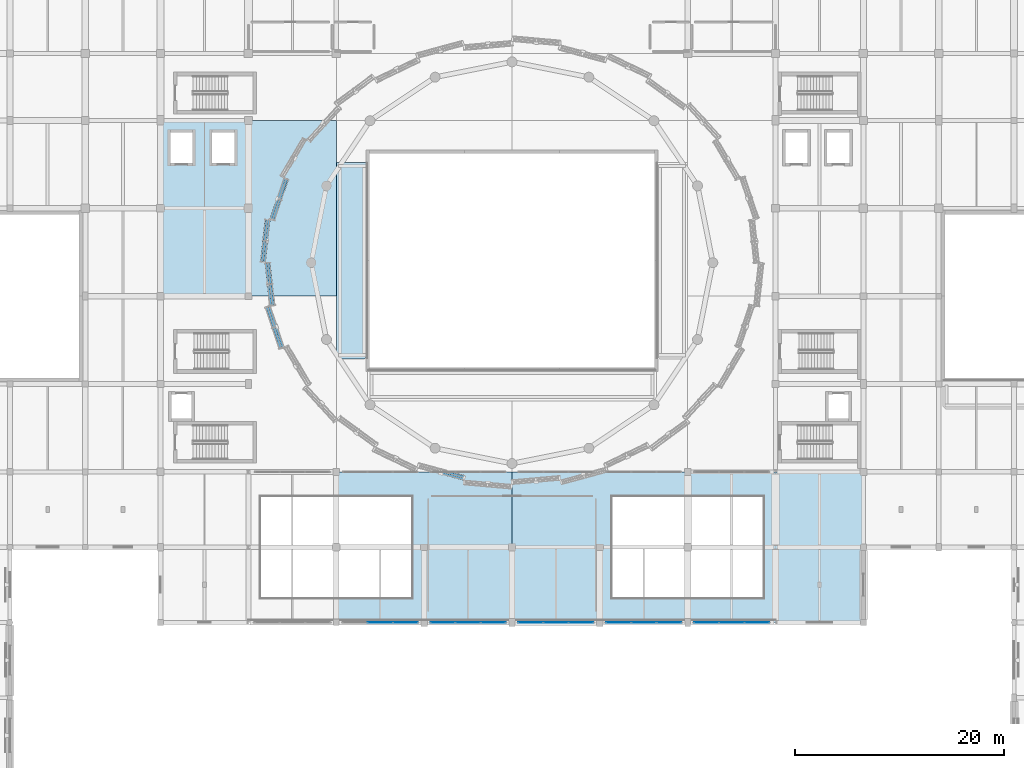
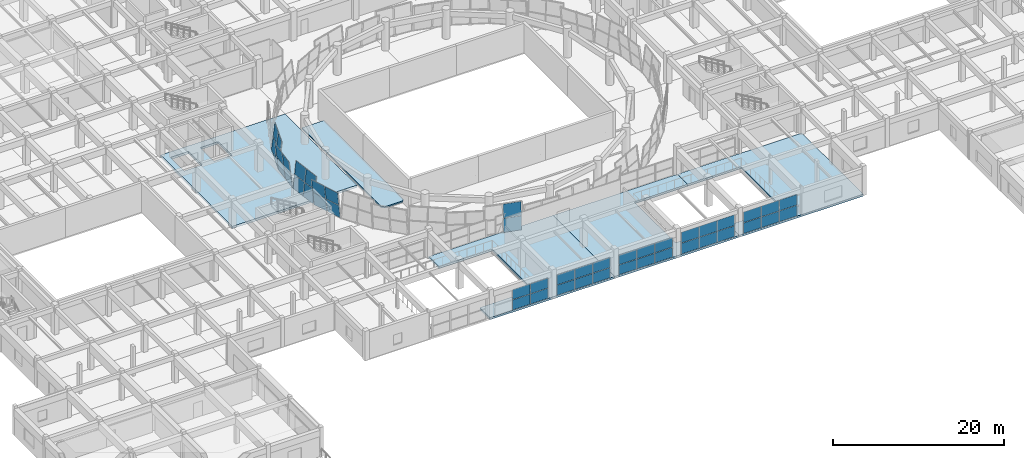
# One storey, part 41 of 71: 46 plates, 5 slabs, 10 elements without a shape of their own.
"""IFC4 building model written with IfcOpenShell, lengths in metres."""

from ifc_helpers import new_model, si_unit, direction, frame, origin, origin_2d, place, context, subcontext, project, spatial, polyline, rectangle, outline, extrude, material, layer, layer_set, type_object, element, aggregate, save


model = new_model("IFC4")

# Units and contexts
model_context = context("Model", 3, precision=1e-05, world=origin(), true_north=direction((0.0, 1.0)))
body_context = subcontext(model_context, "Body", "Model", "MODEL_VIEW")
ifc_project = project(units=[si_unit("LENGTHUNIT", "METRE"), si_unit("AREAUNIT", "SQUARE_METRE"), si_unit("VOLUMEUNIT", "CUBIC_METRE"), si_unit("PLANEANGLEUNIT", "RADIAN"), si_unit("MASSUNIT", "GRAM", prefix="KILO")], contexts=[model_context])

# Site, building, storey
site_placement = place(None, origin())
site = spatial("IfcSite", under=ifc_project, at=site_placement, CompositionType="ELEMENT")
building_placement = place(site_placement, origin())
building = spatial("IfcBuilding", under=site, at=building_placement, Name="Korsvaeld Concert Hall", CompositionType="ELEMENT")
storey_placement = place(building_placement, frame((0.0, 0.0, 4.800048828125)))
storey = spatial("IfcBuildingStorey", under=building, at=storey_placement, Name="L01", CompositionType="ELEMENT", Elevation=4.800048828125)

# Curtain wall, plates
ifc_material_1 = material(Name="Anodised bronze and ceramic-fritted safety glass", Category="glass")
curtain_wall_type_1 = type_object("IfcCurtainWallType", Name="CW-TYPE-15", PredefinedType="USERDEFINED", material=ifc_material_1)
curtain_wall_1_placement = place(storey_placement, origin())
curtain_wall_1 = element("IfcCurtainWall", 1, at=curtain_wall_1_placement, inside=storey, type_object=curtain_wall_type_1, Name="Wintergarden foyer curtain wall L01-07", ObjectType="CURTAIN WALL", PredefinedType="USERDEFINED")
ifc_material_2 = material(Name="Clear acoustic triple safety glazing", Category="glass")
ifc_layer_1 = layer(ifc_material_2, 0.0439453125)
ifc_layer_set_1 = layer_set([ifc_layer_1], Name="Clear acoustic triple safety glazing")
plate_type_1 = type_object("IfcPlateType", Name="CWP-CLEAR-44", PredefinedType="CURTAIN_PANEL", material=ifc_layer_set_1)
plate_1_placement = place(storey_placement, frame((107.418212890625, 28.800048828125, 0.06005859375), z_axis=(0.0, 0.0, 1.0), x_axis=(-1.0, 0.0, 0.0)))
plate_1 = element("IfcPlate", 2, at=plate_1_placement, type_object=plate_type_1, Name="CW-15 panel 1.1", PredefinedType="CURTAIN_PANEL", context=body_context, shape_type="SweptSolid", body=[
    extrude(rectangle(XDim=2.34326171875, YDim=0.0439453125, at=origin_2d()), origin(), (0.0, 0.0, 1.0), 1.5048828125),
])
plate_2_placement = place(storey_placement, frame((107.418212890625, 28.800048828125, 1.625), z_axis=(0.0, 0.0, 1.0), x_axis=(-1.0, 0.0, 0.0)))
plate_2 = element("IfcPlate", 3, at=plate_2_placement, type_object=plate_type_1, Name="CW-15 panel 1.2", PredefinedType="CURTAIN_PANEL", context=body_context, shape_type="SweptSolid", body=[
    extrude(rectangle(XDim=2.34326171875, YDim=0.0439453125, at=origin_2d()), origin(), (0.0, 0.0, 1.0), 1.5048828125),
])
plate_3_placement = place(storey_placement, frame((105.0, 28.800048828125, 0.06005859375), z_axis=(0.0, 0.0, 1.0), x_axis=(-1.0, 0.0, 0.0)))
plate_3 = element("IfcPlate", 4, at=plate_3_placement, type_object=plate_type_1, Name="CW-15 panel 2.1", PredefinedType="CURTAIN_PANEL", context=body_context, shape_type="SweptSolid", body=[
    extrude(rectangle(XDim=2.373291015625, YDim=0.0439453125, at=origin_2d()), origin(), (0.0, 0.0, 1.0), 1.5048828125),
])
plate_4_placement = place(storey_placement, frame((105.0, 28.800048828125, 1.625), z_axis=(0.0, 0.0, 1.0), x_axis=(-1.0, 0.0, 0.0)))
plate_4 = element("IfcPlate", 5, at=plate_4_placement, type_object=plate_type_1, Name="CW-15 panel 2.2", PredefinedType="CURTAIN_PANEL", context=body_context, shape_type="SweptSolid", body=[
    extrude(rectangle(XDim=2.373291015625, YDim=0.0439453125, at=origin_2d()), origin(), (0.0, 0.0, 1.0), 1.5048828125),
])
plate_5_placement = place(storey_placement, frame((102.581787109375, 28.800048828125, 0.06005859375), z_axis=(0.0, 0.0, 1.0), x_axis=(-1.0, 0.0, 0.0)))
plate_5 = element("IfcPlate", 6, at=plate_5_placement, type_object=plate_type_1, Name="CW-15 panel 3.1", PredefinedType="CURTAIN_PANEL", context=body_context, shape_type="SweptSolid", body=[
    extrude(rectangle(XDim=2.34326171875, YDim=0.0439453125, at=origin_2d()), origin(), (0.0, 0.0, 1.0), 1.5048828125),
])
plate_6_placement = place(storey_placement, frame((102.581787109375, 28.800048828125, 1.625), z_axis=(0.0, 0.0, 1.0), x_axis=(-1.0, 0.0, 0.0)))
plate_6 = element("IfcPlate", 7, at=plate_6_placement, type_object=plate_type_1, Name="CW-15 panel 3.2", PredefinedType="CURTAIN_PANEL", context=body_context, shape_type="SweptSolid", body=[
    extrude(rectangle(XDim=2.34326171875, YDim=0.0439453125, at=origin_2d()), origin(), (0.0, 0.0, 1.0), 1.5048828125),
])
aggregate(curtain_wall_1, [plate_1, plate_2, plate_3, plate_4, plate_5, plate_6])

curtain_wall_type_2 = type_object("IfcCurtainWallType", Name="CW-TYPE-08", PredefinedType="USERDEFINED", material=ifc_material_1)
curtain_wall_2_placement = place(storey_placement, origin())
curtain_wall_2 = element("IfcCurtainWall", 8, at=curtain_wall_2_placement, inside=storey, type_object=curtain_wall_type_2, Name="Wintergarden foyer curtain wall L01-08", ObjectType="CURTAIN WALL", PredefinedType="USERDEFINED")
plate_7_placement = place(storey_placement, frame((99.018310546875, 28.800048828125, 0.06005859375), z_axis=(0.0, 0.0, 1.0), x_axis=(-1.0, 0.0, 0.0)))
plate_7 = element("IfcPlate", 9, at=plate_7_placement, type_object=plate_type_1, Name="CW-08 panel 1.1", PredefinedType="CURTAIN_PANEL", context=body_context, shape_type="SweptSolid", body=[
    extrude(rectangle(XDim=2.34326171875, YDim=0.0439453125, at=origin_2d()), origin(), (0.0, 0.0, 1.0), 1.530029296875),
])
plate_8_placement = place(storey_placement, frame((99.018310546875, 28.800048828125, 1.64990234375), z_axis=(0.0, 0.0, 1.0), x_axis=(-1.0, 0.0, 0.0)))
plate_8 = element("IfcPlate", 10, at=plate_8_placement, type_object=plate_type_1, Name="CW-08 panel 1.2", PredefinedType="CURTAIN_PANEL", context=body_context, shape_type="SweptSolid", body=[
    extrude(rectangle(XDim=2.34326171875, YDim=0.0439453125, at=origin_2d()), origin(), (0.0, 0.0, 1.0), 1.530029296875),
])
plate_9_placement = place(storey_placement, frame((96.60009765625, 28.800048828125, 0.06005859375), z_axis=(0.0, 0.0, 1.0), x_axis=(-1.0, 0.0, 0.0)))
plate_9 = element("IfcPlate", 11, at=plate_9_placement, type_object=plate_type_1, Name="CW-08 panel 2.1", PredefinedType="CURTAIN_PANEL", context=body_context, shape_type="SweptSolid", body=[
    extrude(rectangle(XDim=2.373291015625, YDim=0.0439453125, at=origin_2d()), origin(), (0.0, 0.0, 1.0), 1.530029296875),
])
plate_10_placement = place(storey_placement, frame((96.60009765625, 28.800048828125, 1.64990234375), z_axis=(0.0, 0.0, 1.0), x_axis=(-1.0, 0.0, 0.0)))
plate_10 = element("IfcPlate", 12, at=plate_10_placement, type_object=plate_type_1, Name="CW-08 panel 2.2", PredefinedType="CURTAIN_PANEL", context=body_context, shape_type="SweptSolid", body=[
    extrude(rectangle(XDim=2.373291015625, YDim=0.0439453125, at=origin_2d()), origin(), (0.0, 0.0, 1.0), 1.530029296875),
])
plate_11_placement = place(storey_placement, frame((94.181640625, 28.800048828125, 0.06005859375), z_axis=(0.0, 0.0, 1.0), x_axis=(-1.0, 0.0, 0.0)))
plate_11 = element("IfcPlate", 13, at=plate_11_placement, type_object=plate_type_1, Name="CW-08 panel 3.1", PredefinedType="CURTAIN_PANEL", context=body_context, shape_type="SweptSolid", body=[
    extrude(rectangle(XDim=2.34326171875, YDim=0.0439453125, at=origin_2d()), origin(), (0.0, 0.0, 1.0), 1.530029296875),
])
plate_12_placement = place(storey_placement, frame((94.181640625, 28.800048828125, 1.64990234375), z_axis=(0.0, 0.0, 1.0), x_axis=(-1.0, 0.0, 0.0)))
plate_12 = element("IfcPlate", 14, at=plate_12_placement, type_object=plate_type_1, Name="CW-08 panel 3.2", PredefinedType="CURTAIN_PANEL", context=body_context, shape_type="SweptSolid", body=[
    extrude(rectangle(XDim=2.34326171875, YDim=0.0439453125, at=origin_2d()), origin(), (0.0, 0.0, 1.0), 1.530029296875),
])
aggregate(curtain_wall_2, [plate_7, plate_8, plate_9, plate_10, plate_11, plate_12])

curtain_wall_type_3 = type_object("IfcCurtainWallType", Name="CW-TYPE-09", PredefinedType="USERDEFINED", material=ifc_material_1)
curtain_wall_3_placement = place(storey_placement, origin())
curtain_wall_3 = element("IfcCurtainWall", 15, at=curtain_wall_3_placement, inside=storey, type_object=curtain_wall_type_3, Name="Wintergarden foyer curtain wall L01-09", ObjectType="CURTAIN WALL", PredefinedType="USERDEFINED")
plate_13_placement = place(storey_placement, frame((90.618408203125, 28.800048828125, 0.06005859375), z_axis=(0.0, 0.0, 1.0), x_axis=(-1.0, 0.0, 0.0)))
plate_13 = element("IfcPlate", 16, at=plate_13_placement, type_object=plate_type_1, Name="CW-09 panel 1.1", PredefinedType="CURTAIN_PANEL", context=body_context, shape_type="SweptSolid", body=[
    extrude(rectangle(XDim=2.34326171875, YDim=0.0439453125, at=origin_2d()), origin(), (0.0, 0.0, 1.0), 1.3798828125),
])
plate_14_placement = place(storey_placement, frame((90.618408203125, 28.800048828125, 1.5), z_axis=(0.0, 0.0, 1.0), x_axis=(-1.0, 0.0, 0.0)))
plate_14 = element("IfcPlate", 17, at=plate_14_placement, type_object=plate_type_1, Name="CW-09 panel 1.2", PredefinedType="CURTAIN_PANEL", context=body_context, shape_type="SweptSolid", body=[
    extrude(rectangle(XDim=2.34326171875, YDim=0.0439453125, at=origin_2d()), origin(), (0.0, 0.0, 1.0), 1.3798828125),
])
plate_15_placement = place(storey_placement, frame((88.199951171875, 28.800048828125, 0.06005859375), z_axis=(0.0, 0.0, 1.0), x_axis=(-1.0, 0.0, 0.0)))
plate_15 = element("IfcPlate", 18, at=plate_15_placement, type_object=plate_type_1, Name="CW-09 panel 2.1", PredefinedType="CURTAIN_PANEL", context=body_context, shape_type="SweptSolid", body=[
    extrude(rectangle(XDim=2.373291015625, YDim=0.0439453125, at=origin_2d()), origin(), (0.0, 0.0, 1.0), 1.3798828125),
])
plate_16_placement = place(storey_placement, frame((88.199951171875, 28.800048828125, 1.5), z_axis=(0.0, 0.0, 1.0), x_axis=(-1.0, 0.0, 0.0)))
plate_16 = element("IfcPlate", 19, at=plate_16_placement, type_object=plate_type_1, Name="CW-09 panel 2.2", PredefinedType="CURTAIN_PANEL", context=body_context, shape_type="SweptSolid", body=[
    extrude(rectangle(XDim=2.373291015625, YDim=0.0439453125, at=origin_2d()), origin(), (0.0, 0.0, 1.0), 1.3798828125),
])
plate_17_placement = place(storey_placement, frame((85.78173828125, 28.800048828125, 0.06005859375), z_axis=(0.0, 0.0, 1.0), x_axis=(-1.0, 0.0, 0.0)))
plate_17 = element("IfcPlate", 20, at=plate_17_placement, type_object=plate_type_1, Name="CW-09 panel 3.1", PredefinedType="CURTAIN_PANEL", context=body_context, shape_type="SweptSolid", body=[
    extrude(rectangle(XDim=2.34326171875, YDim=0.0439453125, at=origin_2d()), origin(), (0.0, 0.0, 1.0), 1.3798828125),
])
plate_18_placement = place(storey_placement, frame((85.78173828125, 28.800048828125, 1.5), z_axis=(0.0, 0.0, 1.0), x_axis=(-1.0, 0.0, 0.0)))
plate_18 = element("IfcPlate", 21, at=plate_18_placement, type_object=plate_type_1, Name="CW-09 panel 3.2", PredefinedType="CURTAIN_PANEL", context=body_context, shape_type="SweptSolid", body=[
    extrude(rectangle(XDim=2.34326171875, YDim=0.0439453125, at=origin_2d()), origin(), (0.0, 0.0, 1.0), 1.3798828125),
])
aggregate(curtain_wall_3, [plate_13, plate_14, plate_15, plate_16, plate_17, plate_18])

curtain_wall_type_4 = type_object("IfcCurtainWallType", Name="CW-TYPE-10", PredefinedType="USERDEFINED", material=ifc_material_1)
curtain_wall_4_placement = place(storey_placement, origin())
curtain_wall_4 = element("IfcCurtainWall", 22, at=curtain_wall_4_placement, inside=storey, type_object=curtain_wall_type_4, Name="Wintergarden foyer curtain wall L01-10", ObjectType="CURTAIN WALL", PredefinedType="USERDEFINED")
plate_19_placement = place(storey_placement, frame((82.21826171875, 28.800048828125, 0.06005859375), z_axis=(0.0, 0.0, 1.0), x_axis=(-1.0, 0.0, 0.0)))
plate_19 = element("IfcPlate", 23, at=plate_19_placement, type_object=plate_type_1, Name="CW-10 panel 1.1", PredefinedType="CURTAIN_PANEL", context=body_context, shape_type="SweptSolid", body=[
    extrude(rectangle(XDim=2.34326171875, YDim=0.0439453125, at=origin_2d()), origin(), (0.0, 0.0, 1.0), 1.429931640625),
])
plate_20_placement = place(storey_placement, frame((82.21826171875, 28.800048828125, 1.5498046875), z_axis=(0.0, 0.0, 1.0), x_axis=(-1.0, 0.0, 0.0)))
plate_20 = element("IfcPlate", 24, at=plate_20_placement, type_object=plate_type_1, Name="CW-10 panel 1.2", PredefinedType="CURTAIN_PANEL", context=body_context, shape_type="SweptSolid", body=[
    extrude(rectangle(XDim=2.34326171875, YDim=0.0439453125, at=origin_2d()), origin(), (0.0, 0.0, 1.0), 1.429931640625),
])
plate_21_placement = place(storey_placement, frame((79.800048828125, 28.800048828125, 0.06005859375), z_axis=(0.0, 0.0, 1.0), x_axis=(-1.0, 0.0, 0.0)))
plate_21 = element("IfcPlate", 25, at=plate_21_placement, type_object=plate_type_1, Name="CW-10 panel 2.1", PredefinedType="CURTAIN_PANEL", context=body_context, shape_type="SweptSolid", body=[
    extrude(rectangle(XDim=2.373291015625, YDim=0.0439453125, at=origin_2d()), origin(), (0.0, 0.0, 1.0), 1.429931640625),
])
plate_22_placement = place(storey_placement, frame((79.800048828125, 28.800048828125, 1.5498046875), z_axis=(0.0, 0.0, 1.0), x_axis=(-1.0, 0.0, 0.0)))
plate_22 = element("IfcPlate", 26, at=plate_22_placement, type_object=plate_type_1, Name="CW-10 panel 2.2", PredefinedType="CURTAIN_PANEL", context=body_context, shape_type="SweptSolid", body=[
    extrude(rectangle(XDim=2.373291015625, YDim=0.0439453125, at=origin_2d()), origin(), (0.0, 0.0, 1.0), 1.429931640625),
])
plate_23_placement = place(storey_placement, frame((77.381591796875, 28.800048828125, 0.06005859375), z_axis=(0.0, 0.0, 1.0), x_axis=(-1.0, 0.0, 0.0)))
plate_23 = element("IfcPlate", 27, at=plate_23_placement, type_object=plate_type_1, Name="CW-10 panel 3.1", PredefinedType="CURTAIN_PANEL", context=body_context, shape_type="SweptSolid", body=[
    extrude(rectangle(XDim=2.34326171875, YDim=0.0439453125, at=origin_2d()), origin(), (0.0, 0.0, 1.0), 1.429931640625),
])
plate_24_placement = place(storey_placement, frame((77.381591796875, 28.800048828125, 1.5498046875), z_axis=(0.0, 0.0, 1.0), x_axis=(-1.0, 0.0, 0.0)))
plate_24 = element("IfcPlate", 28, at=plate_24_placement, type_object=plate_type_1, Name="CW-10 panel 3.2", PredefinedType="CURTAIN_PANEL", context=body_context, shape_type="SweptSolid", body=[
    extrude(rectangle(XDim=2.34326171875, YDim=0.0439453125, at=origin_2d()), origin(), (0.0, 0.0, 1.0), 1.429931640625),
])
aggregate(curtain_wall_4, [plate_19, plate_20, plate_21, plate_22, plate_23, plate_24])

curtain_wall_type_5 = type_object("IfcCurtainWallType", Name="CW-TYPE-11", PredefinedType="USERDEFINED", material=ifc_material_1)
curtain_wall_5_placement = place(storey_placement, origin())
curtain_wall_5 = element("IfcCurtainWall", 29, at=curtain_wall_5_placement, inside=storey, type_object=curtain_wall_type_5, Name="Wintergarden foyer curtain wall L01-11", ObjectType="CURTAIN WALL", PredefinedType="USERDEFINED")
plate_25_placement = place(storey_placement, frame((73.818359375, 28.800048828125, 0.06005859375), z_axis=(0.0, 0.0, 1.0), x_axis=(-1.0, 0.0, 0.0)))
plate_25 = element("IfcPlate", 30, at=plate_25_placement, type_object=plate_type_1, Name="CW-11 panel 1.1", PredefinedType="CURTAIN_PANEL", context=body_context, shape_type="SweptSolid", body=[
    extrude(rectangle(XDim=2.34326171875, YDim=0.0439453125, at=origin_2d()), origin(), (0.0, 0.0, 1.0), 1.429931640625),
])
plate_26_placement = place(storey_placement, frame((73.818359375, 28.800048828125, 1.5498046875), z_axis=(0.0, 0.0, 1.0), x_axis=(-1.0, 0.0, 0.0)))
plate_26 = element("IfcPlate", 31, at=plate_26_placement, type_object=plate_type_1, Name="CW-11 panel 1.2", PredefinedType="CURTAIN_PANEL", context=body_context, shape_type="SweptSolid", body=[
    extrude(rectangle(XDim=2.34326171875, YDim=0.0439453125, at=origin_2d()), origin(), (0.0, 0.0, 1.0), 1.429931640625),
])
plate_27_placement = place(storey_placement, frame((71.39990234375, 28.800048828125, 0.06005859375), z_axis=(0.0, 0.0, 1.0), x_axis=(-1.0, 0.0, 0.0)))
plate_27 = element("IfcPlate", 32, at=plate_27_placement, type_object=plate_type_1, Name="CW-11 panel 2.1", PredefinedType="CURTAIN_PANEL", context=body_context, shape_type="SweptSolid", body=[
    extrude(rectangle(XDim=2.373291015625, YDim=0.0439453125, at=origin_2d()), origin(), (0.0, 0.0, 1.0), 1.429931640625),
])
plate_28_placement = place(storey_placement, frame((71.39990234375, 28.800048828125, 1.5498046875), z_axis=(0.0, 0.0, 1.0), x_axis=(-1.0, 0.0, 0.0)))
plate_28 = element("IfcPlate", 33, at=plate_28_placement, type_object=plate_type_1, Name="CW-11 panel 2.2", PredefinedType="CURTAIN_PANEL", context=body_context, shape_type="SweptSolid", body=[
    extrude(rectangle(XDim=2.373291015625, YDim=0.0439453125, at=origin_2d()), origin(), (0.0, 0.0, 1.0), 1.429931640625),
])
aggregate(curtain_wall_5, [plate_25, plate_26, plate_27, plate_28])

curtain_wall_type_6 = type_object("IfcCurtainWallType", Name="CW-TYPE-07", PredefinedType="USERDEFINED", material=ifc_material_1)
curtain_wall_6_placement = place(storey_placement, origin())
curtain_wall_6 = element("IfcCurtainWall", 34, at=curtain_wall_6_placement, inside=storey, type_object=curtain_wall_type_6, Name="Crystal curtain-wall facet L01 F15", ObjectType="CURTAIN WALL", PredefinedType="USERDEFINED")
ifc_material_3 = material(Name="Translucent ceramic-fritted crystal safety glass", Category="glass")
ifc_layer_2 = layer(ifc_material_3, 0.035888671875)
ifc_layer_set_2 = layer_set([ifc_layer_2], Name="Translucent ceramic-fritted crystal safety glass")
plate_type_2 = type_object("IfcPlateType", Name="CWP-CRYSTAL-36", PredefinedType="CURTAIN_PANEL", material=ifc_layer_set_2)
plate_29_placement = place(storey_placement, frame((62.178955078125, 71.239990234375, 0.06005859375), z_axis=(-0.941364517816, 0.317899823544, 0.11301569266), x_axis=(-0.319949676143, -0.947434538497, 0.0)))
plate_29 = element("IfcPlate", 35, at=plate_29_placement, type_object=plate_type_2, Name="CW-CRYS-L01-F15 ceramic-fritted crystal panel 1.1", PredefinedType="CURTAIN_PANEL", context=body_context, shape_type="SweptSolid", body=[
    extrude(outline(polyline([(0.0, 0.0), (1.9862437572585203, 1.3877787807814457e-17), (1.9736826146833244, 1.8617815720611695), (-0.012561142575196048, 1.8617815720611695), (0.0, 0.0)])), frame((0.0, 0.0, 0.01806640625)), (0.0, 0.0, -1.0), 0.035888671875),
])
plate_30_placement = place(storey_placement, frame((62.388916015625, 71.182861328125, 1.969970703125), z_axis=(-0.941366104364, 0.317900359323, 0.113000969451), x_axis=(-0.319949676143, -0.947434538497, 0.0)))
plate_30 = element("IfcPlate", 36, at=plate_30_placement, type_object=plate_type_2, Name="CW-CRYS-L01-F15 ceramic-fritted crystal panel 1.2", PredefinedType="CURTAIN_PANEL", context=body_context, shape_type="SweptSolid", body=[
    extrude(outline(polyline([(0.0, 0.0), (1.9862437572585203, 0.0), (1.9736826146833244, 1.8620241487311948), (-0.012561142575196048, 1.8620241487311948), (0.0, 0.0)])), frame((0.0, 0.0, 0.01806640625)), (0.0, 0.0, -1.0), 0.035888671875),
])
plate_31_placement = place(storey_placement, frame((61.51953125, 69.287109375, 0.06005859375), z_axis=(-0.941364517816, 0.317899823544, 0.11301569266), x_axis=(-0.319949676143, -0.947434538497, 0.0)))
plate_31 = element("IfcPlate", 37, at=plate_31_placement, type_object=plate_type_2, Name="CW-CRYS-L01-F15 ceramic-fritted crystal panel 2.1", PredefinedType="CURTAIN_PANEL", context=body_context, shape_type="SweptSolid", body=[
    extrude(outline(polyline([(0.0, 0.0), (1.9862437572585203, 1.3877787807814457e-17), (1.9736826146833244, 1.8617815720611695), (-0.012561142575196048, 1.8617815720611695), (0.0, 0.0)])), frame((0.0, 0.0, 0.01806640625)), (0.0, 0.0, -1.0), 0.035888671875),
])
plate_32_placement = place(storey_placement, frame((61.7294921875, 69.22998046875, 1.969970703125), z_axis=(-0.941378575992, 0.317863332898, 0.113001231244), x_axis=(-0.319912420616, -0.947447118912, 0.0)))
plate_32 = element("IfcPlate", 38, at=plate_32_placement, type_object=plate_type_2, Name="CW-CRYS-L01-F15 ceramic-fritted crystal panel 2.2", PredefinedType="CURTAIN_PANEL", context=body_context, shape_type="SweptSolid", body=[
    extrude(outline(polyline([(0.0, 0.0), (1.9864750660546802, 1.3877787807814457e-17), (1.9739221973095524, 1.862024204527748), (-0.012552868745127732, 1.862024204527748), (0.0, 0.0)])), frame((0.0, 0.0, 0.01806640625)), (0.0, 0.0, -1.0), 0.035888671875),
])
aggregate(curtain_wall_6, [plate_29, plate_30, plate_31, plate_32])

curtain_wall_7_placement = place(storey_placement, origin())
curtain_wall_7 = element("IfcCurtainWall", 39, at=curtain_wall_7_placement, inside=storey, type_object=curtain_wall_type_2, Name="Crystal curtain-wall facet L01 F16", ObjectType="CURTAIN WALL", PredefinedType="USERDEFINED")
plate_33_placement = place(storey_placement, frame((60.838623046875, 67.261962890625, 0.06005859375), z_axis=(-0.98764771844, 0.108355260173, -0.113186226426), x_axis=(-0.10905607732, -0.99403559896, 0.0)))
plate_33 = element("IfcPlate", 40, at=plate_33_placement, type_object=plate_type_2, Name="CW-CRYS-L01-F16 ceramic-fritted crystal panel 1.1", PredefinedType="CURTAIN_PANEL", context=body_context, shape_type="SweptSolid", body=[
    extrude(outline(polyline([(0.0, 0.0), (1.9677913844802313, 0.0), (1.97224488081178, 1.8618179468854357), (0.004453496331548845, 1.8618179468854357), (0.0, 0.0)])), frame((0.0, 0.0, 0.01806640625)), (0.0, 0.0, -1.0), 0.035888671875),
])
plate_34_placement = place(storey_placement, frame((60.621826171875, 67.28125, 1.969970703125), z_axis=(-0.987650850226, 0.108342081287, -0.113171513509), x_axis=(-0.109042629262, -0.99403707426, 0.0)))
plate_34 = element("IfcPlate", 41, at=plate_34_placement, type_object=plate_type_2, Name="CW-CRYS-L01-F16 ceramic-fritted crystal panel 1.2", PredefinedType="CURTAIN_PANEL", context=body_context, shape_type="SweptSolid", body=[
    extrude(outline(polyline([(0.0, 0.0), (1.9680340691327352, -3.469446951953614e-18), (1.9724847145236928, 1.8620605256332161), (0.004450645390957637, 1.8620605256332161), (0.0, 0.0)])), frame((0.0, 0.0, 0.01806640625)), (0.0, 0.0, -1.0), 0.035888671875),
])
plate_35_placement = place(storey_placement, frame((60.615966796875, 65.231201171875, 0.06005859375), z_axis=(-0.98764771844, 0.108355260173, -0.113186226426), x_axis=(-0.10905607732, -0.99403559896, 0.0)))
plate_35 = element("IfcPlate", 42, at=plate_35_placement, type_object=plate_type_2, Name="CW-CRYS-L01-F16 ceramic-fritted crystal panel 2.1", PredefinedType="CURTAIN_PANEL", context=body_context, shape_type="SweptSolid", body=[
    extrude(outline(polyline([(0.0, 0.0), (1.9677913844802313, 0.0), (1.97224488081178, 1.8618179468854357), (0.004453496331548845, 1.8618179468854357), (0.0, 0.0)])), frame((0.0, 0.0, 0.01806640625)), (0.0, 0.0, -1.0), 0.035888671875),
])
plate_36_placement = place(storey_placement, frame((60.399169921875, 65.25048828125, 1.969970703125), z_axis=(-0.98764938802, 0.108355443344, -0.113171481577), x_axis=(-0.10905607732, -0.99403559896, 0.0)))
plate_36 = element("IfcPlate", 43, at=plate_36_placement, type_object=plate_type_2, Name="CW-CRYS-L01-F16 ceramic-fritted crystal panel 2.2", PredefinedType="CURTAIN_PANEL", context=body_context, shape_type="SweptSolid", body=[
    extrude(outline(polyline([(0.0, 0.0), (1.9677913844802313, 3.469446951953614e-18), (1.97224488081178, 1.8620605188167947), (0.004453496331548846, 1.8620605188167947), (0.0, 0.0)])), frame((0.0, 0.0, 0.01806640625)), (0.0, 0.0, -1.0), 0.035888671875),
])
aggregate(curtain_wall_7, [plate_33, plate_34, plate_35, plate_36])

curtain_wall_type_7 = type_object("IfcCurtainWallType", Name="CW-TYPE-01", PredefinedType="USERDEFINED", material=ifc_material_1)
curtain_wall_8_placement = place(storey_placement, origin())
curtain_wall_8 = element("IfcCurtainWall", 44, at=curtain_wall_8_placement, inside=storey, type_object=curtain_wall_type_7, Name="Crystal curtain-wall facet L01 F17", ObjectType="CURTAIN WALL", PredefinedType="USERDEFINED")
plate_37_placement = place(storey_placement, frame((60.4150390625, 63.1259765625, 0.06005859375), z_axis=(-0.987661041503, -0.108233449131, 0.113186516804), x_axis=(0.108933482058, -0.994049041289, 0.0)))
plate_37 = element("IfcPlate", 45, at=plate_37_placement, type_object=plate_type_2, Name="CW-CRYS-L01-F17 ceramic-fritted crystal panel 1.1", PredefinedType="CURTAIN_PANEL", context=body_context, shape_type="SweptSolid", body=[
    extrude(outline(polyline([(0.0, 0.0), (1.967764774426495, -3.469446951953614e-18), (1.972192281123818, 1.8618180088716296), (0.004427506697322853, 1.8618180088716296), (0.0, 0.0)])), frame((0.0, 0.0, 0.01806640625)), (0.0, 0.0, -1.0), 0.035888671875),
])
plate_38_placement = place(storey_placement, frame((60.6318359375, 63.145263671875, 1.969970703125), z_axis=(-0.987662711113, -0.108233632097, 0.113171771918), x_axis=(0.108933482058, -0.994049041289, 0.0)))
plate_38 = element("IfcPlate", 46, at=plate_38_placement, type_object=plate_type_2, Name="CW-CRYS-L01-F17 ceramic-fritted crystal panel 1.2", PredefinedType="CURTAIN_PANEL", context=body_context, shape_type="SweptSolid", body=[
    extrude(outline(polyline([(0.0, 0.0), (1.967764774426495, 0.0), (1.972192281123818, 1.8620605807949135), (0.004427506697322853, 1.8620605807949135), (0.0, 0.0)])), frame((0.0, 0.0, 0.01806640625)), (0.0, 0.0, -1.0), 0.035888671875),
])
plate_39_placement = place(storey_placement, frame((60.6376953125, 61.095458984375, 0.06005859375), z_axis=(-0.987662500457, -0.10822010176, 0.113186548519), x_axis=(0.108920048755, -0.994050513294, 0.0)))
plate_39 = element("IfcPlate", 47, at=plate_39_placement, type_object=plate_type_2, Name="CW-CRYS-L01-F17 ceramic-fritted crystal panel 2.1", PredefinedType="CURTAIN_PANEL", context=body_context, shape_type="SweptSolid", body=[
    extrude(outline(polyline([(0.0, 0.0), (1.9680074623604151, 3.469446951953614e-18), (1.9724321212761298, 1.8618180156416344), (0.004424658915714849, 1.8618180156416344), (0.0, 0.0)])), frame((0.0, 0.0, 0.01806640625)), (0.0, 0.0, -1.0), 0.035888671875),
])
plate_40_placement = place(storey_placement, frame((60.8544921875, 61.114501953125, 1.969970703125), z_axis=(-0.987662711113, -0.108233632097, 0.113171771918), x_axis=(0.108933482058, -0.994049041289, 0.0)))
plate_40 = element("IfcPlate", 48, at=plate_40_placement, type_object=plate_type_2, Name="CW-CRYS-L01-F17 ceramic-fritted crystal panel 2.2", PredefinedType="CURTAIN_PANEL", context=body_context, shape_type="SweptSolid", body=[
    extrude(outline(polyline([(0.0, 0.0), (1.967764774426495, 0.0), (1.972192281123818, 1.8620605807949135), (0.004427506697322853, 1.8620605807949135), (0.0, 0.0)])), frame((0.0, 0.0, 0.01806640625)), (0.0, 0.0, -1.0), 0.035888671875),
])
aggregate(curtain_wall_8, [plate_37, plate_38, plate_39, plate_40])

curtain_wall_type_8 = type_object("IfcCurtainWallType", Name="CW-TYPE-02", PredefinedType="USERDEFINED", material=ifc_material_1)
curtain_wall_9_placement = place(storey_placement, origin())
curtain_wall_9 = element("IfcCurtainWall", 49, at=curtain_wall_9_placement, inside=storey, type_object=curtain_wall_type_8, Name="Crystal curtain-wall facet L01 F18", ObjectType="CURTAIN WALL", PredefinedType="USERDEFINED")
plate_41_placement = place(storey_placement, frame((60.870849609375, 58.9912109375, 0.06005859375), z_axis=(-0.941364517816, -0.317899823544, -0.11301569266), x_axis=(0.319949676143, -0.947434538497, 0.0)))
plate_41 = element("IfcPlate", 50, at=plate_41_placement, type_object=plate_type_2, Name="CW-CRYS-L01-F18 ceramic-fritted crystal panel 1.1", PredefinedType="CURTAIN_PANEL", context=body_context, shape_type="SweptSolid", body=[
    extrude(outline(polyline([(0.0, 0.0), (1.9862437572585203, 1.3877787807814457e-17), (1.9736826146833244, 1.8617815720611695), (-0.012561142575196048, 1.8617815720611695), (0.0, 0.0)])), frame((0.0, 0.0, 0.01806640625)), (0.0, 0.0, -1.0), 0.035888671875),
])
plate_42_placement = place(storey_placement, frame((60.660888671875, 58.93408203125, 1.969970703125), z_axis=(-0.941378575992, -0.317863332898, -0.113001231244), x_axis=(0.319912420616, -0.947447118912, 0.0)))
plate_42 = element("IfcPlate", 51, at=plate_42_placement, type_object=plate_type_2, Name="CW-CRYS-L01-F18 ceramic-fritted crystal panel 1.2", PredefinedType="CURTAIN_PANEL", context=body_context, shape_type="SweptSolid", body=[
    extrude(outline(polyline([(0.0, 0.0), (1.9864750660546802, 1.3877787807814457e-17), (1.9739221973095524, 1.862024204527748), (-0.012552868745127732, 1.862024204527748), (0.0, 0.0)])), frame((0.0, 0.0, 0.01806640625)), (0.0, 0.0, -1.0), 0.035888671875),
])
plate_43_placement = place(storey_placement, frame((61.5302734375, 57.038330078125, 0.06005859375), z_axis=(-0.941376989416, -0.317862797179, -0.113015954486), x_axis=(0.319912420616, -0.947447118912, 0.0)))
plate_43 = element("IfcPlate", 52, at=plate_43_placement, type_object=plate_type_2, Name="CW-CRYS-L01-F18 ceramic-fritted crystal panel 2.1", PredefinedType="CURTAIN_PANEL", context=body_context, shape_type="SweptSolid", body=[
    extrude(outline(polyline([(0.0, 0.0), (1.9864750660546802, 1.3877787807814457e-17), (1.9739221973095524, 1.8617816278649928), (-0.01255286874512773, 1.8617816278649928), (0.0, 0.0)])), frame((0.0, 0.0, 0.01806640625)), (0.0, 0.0, -1.0), 0.035888671875),
])
plate_44_placement = place(storey_placement, frame((61.3203125, 56.98095703125, 1.969970703125), z_axis=(-0.941366104364, -0.317900359323, -0.113000969451), x_axis=(0.319949676143, -0.947434538497, 0.0)))
plate_44 = element("IfcPlate", 53, at=plate_44_placement, type_object=plate_type_2, Name="CW-CRYS-L01-F18 ceramic-fritted crystal panel 2.2", PredefinedType="CURTAIN_PANEL", context=body_context, shape_type="SweptSolid", body=[
    extrude(outline(polyline([(0.0, 0.0), (1.9862437572585203, 0.0), (1.9736826146833244, 1.8620241487311948), (-0.012561142575196048, 1.8620241487311948), (0.0, 0.0)])), frame((0.0, 0.0, 0.01806640625)), (0.0, 0.0, -1.0), 0.035888671875),
])
aggregate(curtain_wall_9, [plate_41, plate_42, plate_43, plate_44])

curtain_wall_10_placement = place(storey_placement, origin())
curtain_wall_10 = element("IfcCurtainWall", 54, at=curtain_wall_10_placement, inside=storey, type_object=curtain_wall_type_6, Name="Crystal curtain-wall facet L01 F23", ObjectType="CURTAIN WALL", PredefinedType="USERDEFINED")
plate_45_placement = place(storey_placement, frame((77.220703125, 43.00732421875, 0.06005859375), z_axis=(-0.261281340237, -0.958624559797, 0.113008913794), x_axis=(0.964805126409, -0.262965906641, 0.0)))
plate_45 = element("IfcPlate", 55, at=plate_45_placement, type_object=plate_type_2, Name="CW-CRYS-L01-F23 ceramic-fritted crystal panel 2.1", PredefinedType="CURTAIN_PANEL", context=body_context, shape_type="SweptSolid", body=[
    extrude(outline(polyline([(0.0, 0.0), (2.1817675001225645, 0.0), (2.1942626425191207, 1.861780127307669), (0.01249514239655624, 1.861780127307669), (0.0, 0.0)])), frame((0.0, 0.0, 0.01806640625)), (0.0, 0.0, -1.0), 0.035888671875),
])
plate_46_placement = place(storey_placement, frame((77.290283203125, 43.21337890625, 1.969970703125), z_axis=(-0.261213567784, -0.958635449337, 0.113073194349), x_axis=(0.964822956688, -0.262900479629, -7.717335e-06)))
plate_46 = element("IfcPlate", 56, at=plate_46_placement, type_object=plate_type_2, Name="CW-CRYS-L01-F23 ceramic-fritted crystal panel 2.2", PredefinedType="CURTAIN_PANEL", context=body_context, shape_type="SweptSolid", body=[
    extrude(outline(polyline([(0.0, 0.0), (2.1817674950410426, 0.0), (2.1944339950959075, 1.8620565918327672), (0.012495132262614448, 1.8620226982797985), (0.0, 0.0)])), frame((0.0, 0.0, 0.01806640625)), (0.0, 0.0, -1.0), 0.035888671875),
])
aggregate(curtain_wall_10, [plate_45, plate_46])

# Slabs
ifc_material_4 = material(Name="Concrete C35/45", Category="concrete")
ifc_layer_3 = layer(ifc_material_4, 0.280029296875)
ifc_layer_set_3 = layer_set([ifc_layer_3], Name="Concrete C35/45")
slab_type_1 = type_object("IfcSlabType", Name="SLB-FOY-280", PredefinedType="FLOOR", material=ifc_layer_set_3)
slab_1_placement = place(storey_placement, frame((0.0, 0.0, -0.280029296875)))
element("IfcSlab", 57, at=slab_1_placement, inside=storey, type_object=slab_type_1, Name="Structural slab L01 V4_PASS_C1 2.1", PredefinedType="FLOOR", context=body_context, shape_type="SweptSolid", body=[
    extrude(outline(polyline([(67.199951171875, 43.199951171875), (84.0, 43.199951171875), (84.0, 28.800048828125), (67.199951171875, 28.800048828125), (67.199951171875, 31.199951171875), (74.39990234375, 31.199951171875), (74.39990234375, 40.800048828125), (67.199951171875, 40.800048828125), (67.199951171875, 43.199951171875)])), origin(), (0.0, 0.0, 1.0), 0.280029296875),
])
slab_2_placement = place(storey_placement, frame((0.0, 0.0, -0.280029296875)))
element("IfcSlab", 58, at=slab_2_placement, inside=storey, type_object=slab_type_1, Name="Structural slab L01 V4_PASS_C1 3.1", PredefinedType="FLOOR", context=body_context, shape_type="SweptSolid", body=[
    extrude(outline(polyline([(100.800048828125, 28.800048828125), (84.0, 28.800048828125), (84.0, 43.199951171875), (100.800048828125, 43.199951171875), (100.800048828125, 40.800048828125), (93.60009765625, 40.800048828125), (93.60009765625, 31.199951171875), (100.800048828125, 31.199951171875), (100.800048828125, 28.800048828125)])), origin(), (0.0, 0.0, 1.0), 0.280029296875),
])
slab_3_placement = place(storey_placement, frame((0.0, 0.0, -0.280029296875)))
element("IfcSlab", 59, at=slab_3_placement, inside=storey, type_object=slab_type_1, Name="Structural slab L01 V4_PASS_C1 4.1", PredefinedType="FLOOR", context=body_context, shape_type="SweptSolid", body=[
    extrude(outline(polyline([(100.800048828125, 43.199951171875), (117.60009765625, 43.199951171875), (117.60009765625, 28.800048828125), (100.800048828125, 28.800048828125), (100.800048828125, 31.199951171875), (108.0, 31.199951171875), (108.0, 40.800048828125), (100.800048828125, 40.800048828125), (100.800048828125, 43.199951171875)])), origin(), (0.0, 0.0, 1.0), 0.280029296875),
])
ifc_layer_4 = layer(ifc_material_4, 0.320068359375)
ifc_layer_set_4 = layer_set([ifc_layer_4], Name="Concrete C35/45")
slab_type_2 = type_object("IfcSlabType", Name="SLB-HALL-320", PredefinedType="FLOOR", material=ifc_layer_set_4)
slab_4_placement = place(storey_placement, frame((0.0, 0.0, -0.320068359375)))
element("IfcSlab", 60, at=slab_4_placement, inside=storey, type_object=slab_type_2, Name="Structural slab L01 V1_L01 1.2", PredefinedType="FLOOR", context=body_context, shape_type="SweptSolid", body=[
    extrude(outline(polyline([(50.39990234375, 60.0), (50.39990234375, 76.800048828125), (67.199951171875, 76.800048828125), (67.199951171875, 60.0), (50.39990234375, 60.0)]), holes=[polyline([(53.60009765625, 72.60009765625), (53.60009765625, 75.800048828125), (51.199951171875, 75.800048828125), (51.199951171875, 72.60009765625), (53.60009765625, 72.60009765625)]), polyline([(57.60009765625, 75.800048828125), (55.199951171875, 75.800048828125), (55.199951171875, 72.60009765625), (57.60009765625, 72.60009765625), (57.60009765625, 75.800048828125)])]), origin(), (0.0, 0.0, 1.0), 0.320068359375),
])
ifc_material_5 = material(Name="Precast concrete C40/50", Category="concrete")
ifc_layer_5 = layer(ifc_material_5, 0.199951171875)
ifc_layer_set_5 = layer_set([ifc_layer_5], Name="Precast concrete C40/50")
slab_type_3 = type_object("IfcSlabType", Name="SLB-TIER-200", PredefinedType="USERDEFINED", material=ifc_layer_set_5)
slab_5_placement = place(storey_placement, frame((0.0, 0.0, 0.25)))
element("IfcSlab", 61, at=slab_5_placement, inside=storey, type_object=slab_type_3, Name="Auditorium seating tier V1-CIRC1-W", ObjectType="SEATING TIER", PredefinedType="USERDEFINED", context=body_context, shape_type="SweptSolid", body=[
    extrude(outline(polyline([(67.199951171875, 54.300048828125), (67.5, 54.0), (69.89990234375, 54.0), (70.199951171875, 54.300048828125), (70.199951171875, 72.800048828125), (67.199951171875, 72.800048828125), (67.199951171875, 54.300048828125)])), origin(), (0.0, 0.0, 1.0), 0.199951171875),
])

save(model, "model.ifc")
